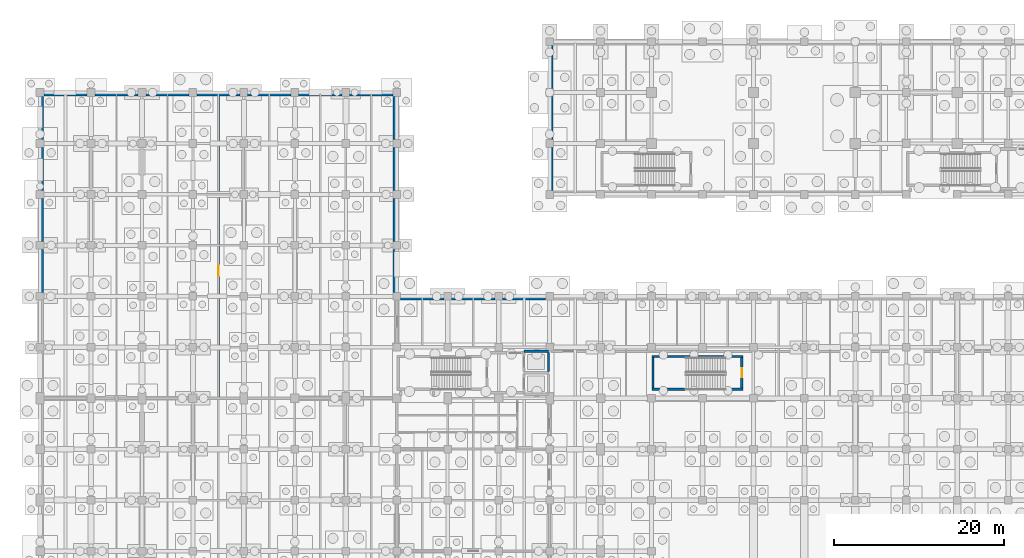
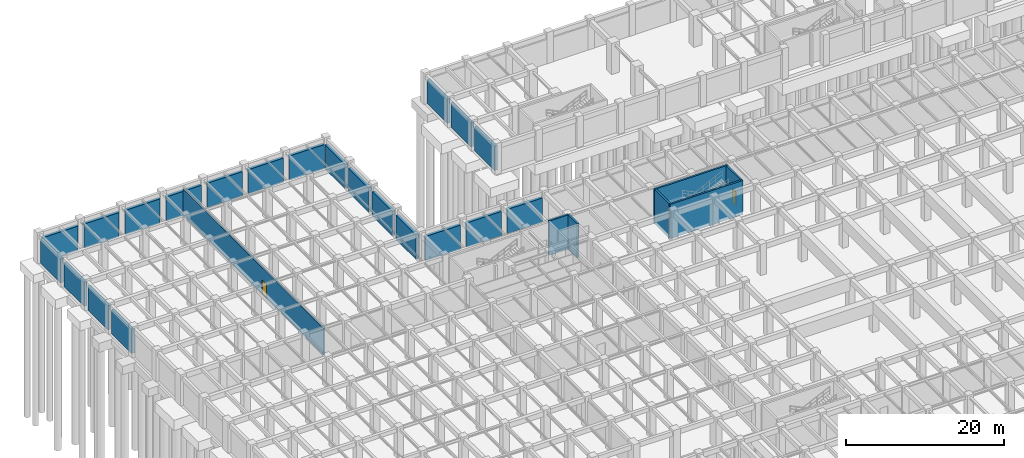
# One storey, part 41 of 54: 28 walls, 2 doors, 2 openings.
"""IFC4 building model written with IfcOpenShell, lengths in metres."""

from ifc_helpers import new_model, si_unit, direction, frame, frame_2d, origin, place, context, subcontext, project, spatial, rectangle, extrude, material, layer, layer_set, type_object, element, fill, save


model = new_model("IFC4")

# Units and contexts
model_context = context("Model", 3, precision=1e-05, world=origin(), true_north=direction((0.0, 1.0)))
body_context = subcontext(model_context, "Body", "Model", "MODEL_VIEW")
ifc_project = project(units=[si_unit("LENGTHUNIT", "METRE"), si_unit("AREAUNIT", "SQUARE_METRE"), si_unit("VOLUMEUNIT", "CUBIC_METRE"), si_unit("PLANEANGLEUNIT", "RADIAN"), si_unit("MASSUNIT", "GRAM", prefix="KILO"), si_unit("THERMODYNAMICTEMPERATUREUNIT", "KELVIN"), si_unit("POWERUNIT", "WATT")], contexts=[model_context])

# Site, building, storey
site_placement = place(None, origin())
site = spatial("IfcSite", under=ifc_project, at=site_placement, CompositionType="ELEMENT")
building_placement = place(site_placement, origin())
building = spatial("IfcBuilding", under=site, at=building_placement, Name="Phaisarnlok Congress Hotel", CompositionType="ELEMENT")
storey_placement = place(building_placement, frame((0.0, 0.0, -4.800048828125)))
storey = spatial("IfcBuildingStorey", under=building, at=storey_placement, Name="B01", CompositionType="ELEMENT", Elevation=-4.800048828125)

# Walls
ifc_material_1 = material(Name="Concrete C40/50", Category="concrete")
ifc_layer_1 = layer(ifc_material_1, 0.419921875, Name="Concrete C40/50")
ifc_layer_set_1 = layer_set([ifc_layer_1], Name="Concrete C40/50")
wall_type_1 = type_object("IfcWallType", Name="WL-EXT-420", PredefinedType="SOLIDWALL", material=ifc_layer_set_1)
for number, where, z_axis, x_axis, name in (
    (1, (60.2099609375, 125.544921875, 0.0), (0.0, 0.0, 1.0), (0.0, -1.0, 0.0), "Exterior wall EW-08 (B01)"),
    (2, (60.2099609375, 119.544921875, 0.0), (0.0, 0.0, 1.0), (0.0, -1.0, 0.0), "Exterior wall EW-08 (B01)"),
    (3, (60.2099609375, 113.544921875, 0.0), (0.0, 0.0, 1.0), (0.0, -1.0, 0.0), "Exterior wall EW-08 (B01)"),
    (4, (59.544921875, 95.7900390625, 0.0), (0.0, 0.0, 1.0), (-1.0, 0.0, 0.0), "Exterior wall EW-08 (B01)"),
    (5, (53.544921875, 95.7900390625, 0.0), (0.0, 0.0, 1.0), (-1.0, 0.0, 0.0), "Exterior wall EW-08 (B01)"),
    (6, (47.544921875, 95.7900390625, 0.0), (0.0, 0.0, 1.0), (-1.0, 0.0, 0.0), "Exterior wall EW-08 (B01)"),
    (7, (41.7900390625, 96.455078125, 0.0), (0.0, 0.0, 1.0), (0.0, 1.0, 0.0), "Exterior wall EW-08 (B01)"),
    (8, (41.7900390625, 102.455078125, 0.0), (0.0, 0.0, 1.0), (0.0, 1.0, 0.0), "Exterior wall EW-08 (B01)"),
    (9, (41.7900390625, 108.455078125, 0.0), (0.0, 0.0, 1.0), (0.0, 1.0, 0.0), "Exterior wall EW-08 (B01)"),
    (10, (41.7900390625, 114.455078125, 0.0), (0.0, 0.0, 1.0), (0.0, 1.0, 0.0), "Exterior wall EW-08 (B01)"),
    (11, (41.544921875, 119.7900390625, 0.0), (0.0, 0.0, 1.0), (-1.0, 0.0, 0.0), "Exterior wall EW-08 (B01)"),
    (12, (35.544921875, 119.7900390625, 0.0), (0.0, 0.0, 1.0), (-1.0, 0.0, 0.0), "Exterior wall EW-08 (B01)"),
    (13, (29.544921875, 119.7900390625, 0.0), (0.0, 0.0, 1.0), (-1.0, 0.0, 0.0), "Exterior wall EW-08 (B01)"),
    (14, (23.544921875, 119.7900390625, 0.0), (0.0, 0.0, 1.0), (-1.0, 0.0, 0.0), "Exterior wall EW-08 (B01)"),
    (15, (17.544921875, 119.7900390625, 0.0), (0.0, 0.0, 1.0), (-1.0, 0.0, 0.0), "Exterior wall EW-08 (B01)"),
    (16, (11.544921875, 119.7900390625, 0.0), (0.0, 0.0, 1.0), (-1.0, 0.0, 0.0), "Exterior wall EW-08 (B01)"),
    (17, (5.544921875, 119.7900390625, 0.0), (0.0, 0.0, 1.0), (-1.0, 0.0, 0.0), "Exterior wall EW-08 (B01)"),
    (18, (0.2099609375, 119.544921875, 0.0), (0.0, 0.0, 1.0), (0.0, -1.0, 0.0), "Exterior wall EW-08 (B01)"),
    (19, (0.2099609375, 113.544921875, 0.0), (0.0, 0.0, 1.0), (0.0, -1.0, 0.0), "Exterior wall EW-08 (B01)"),
    (20, (0.2099609375, 107.544921875, 0.0), (0.0, 0.0, 1.0), (0.0, -1.0, 0.0), "Exterior wall EW-08 (B01)"),
    (21, (0.2099609375, 101.544921875, 0.0), (0.0, 0.0, 1.0), (0.0, -1.0, 0.0), "Exterior wall EW-08 (B01)"),
):
    element("IfcWall", number, at=place(storey_placement, frame(where, z_axis=z_axis, x_axis=x_axis)), inside=storey, type_object=wall_type_1, Name=name, PredefinedType="SOLIDWALL", context=body_context, shape_type="SweptSolid", body=[
        extrude(rectangle(XDim=5.08984375, YDim=0.419921875, at=frame_2d((2.544921875, 0.0))), origin(), (0.0, 0.0, 1.0), 3.75),
    ])

# Wall, opening, door
ifc_layer_2 = layer(ifc_material_1, 0.239990234375, Name="Concrete C40/50")
ifc_layer_set_2 = layer_set([ifc_layer_2], Name="Concrete C40/50")
wall_type_2 = type_object("IfcWallType", Name="WL-INT-240", PredefinedType="PARTITIONING", material=ifc_layer_set_2)
wall_1_placement = place(storey_placement, frame((21.0, 84.0, 0.0), z_axis=(0.0, 0.0, 1.0), x_axis=(0.0, 1.0, 0.0)))
wall_1 = element("IfcWall", 22, at=wall_1_placement, inside=storey, type_object=wall_type_2, Name="Interior partition wall IW-01 (B01)", PredefinedType="PARTITIONING", context=body_context, shape_type="SweptSolid", body=[
    extrude(rectangle(XDim=35.574951171875, YDim=0.239990234375, at=frame_2d((17.78759765625, 0.0))), origin(), (0.0, 0.0, 1.0), 4.10009765625),
])
opening_1_placement = place(wall_1_placement, frame((14.39990234375, 0.0, 0.0)))
opening_1 = element("IfcOpeningElement", 23, at=opening_1_placement, cuts=wall_1, Name="Opening D-0012", PredefinedType="OPENING", context=body_context, shape_type="SweptSolid", body=[
    extrude(rectangle(XDim=1.199951171875, YDim=2.199951171875, at=frame_2d((0.60009765625, 1.10009765625))), frame((0.0, 0.1298828125, 0.0), z_axis=(0.0, -1.0, 0.0), x_axis=(1.0, 0.0, 0.0)), (0.0, 0.0, 1.0), 0.260009765625),
])
ifc_material_2 = material(Name="Fire-Rated Steel Frame & Timber Leaf", Category="steel")
door_type_1 = type_object("IfcDoorType", Name="DR-FD60-1200", OperationType="NOTDEFINED", PredefinedType="DOOR", material=ifc_material_2)
door_1_placement = place(opening_1_placement, origin())
door_1 = element("IfcDoor", 24, at=door_1_placement, inside=storey, type_object=door_type_1, Name="Interior door D-0012 (B01)", OperationType="SINGLE_SWING_LEFT", OverallHeight=2.199951171875, OverallWidth=1.199951171875, PredefinedType="DOOR", context=body_context, shape_type="SweptSolid", body=[
    extrude(rectangle(XDim=1.199951171875, YDim=2.199951171875, at=frame_2d((0.60009765625, 1.10009765625))), frame((0.0, 0.02490234375, 0.0), z_axis=(0.0, -1.0, 0.0), x_axis=(1.0, 0.0, 0.0)), (0.0, 0.0, 1.0), 0.050048828125),
])
fill(opening_1, door_1)

# Walls
ifc_material_3 = material(Name="Concrete C50/60", Category="concrete")
ifc_layer_3 = layer(ifc_material_3, 0.260009765625, Name="Concrete C50/60")
ifc_layer_set_3 = layer_set([ifc_layer_3], Name="Concrete C50/60")
wall_type_3 = type_object("IfcWallType", Name="WL-SHR-260", PredefinedType="SHEAR", material=ifc_layer_set_3)
wall_2_placement = place(storey_placement, frame((56.969970703125, 89.530029296875, -0.5), z_axis=(0.0, 0.0, 1.0), x_axis=(1.0, 0.0, 0.0)))
element("IfcWall", 25, at=wall_2_placement, inside=storey, type_object=wall_type_3, Name="Lift shaft shear wall SW-04 (LF-SP1 B01)", PredefinedType="SHEAR", context=body_context, shape_type="SweptSolid", body=[
    extrude(rectangle(XDim=2.909912109375, YDim=0.260009765625, at=frame_2d((1.455078125, 0.0))), origin(), (0.0, 0.0, 1.0), 5.300048828125),
])
wall_3_placement = place(storey_placement, frame((59.8798828125, 87.14990234375, -0.5), z_axis=(0.0, 0.0, 1.0), x_axis=(0.0, 1.0, 0.0)))
element("IfcWall", 26, at=wall_3_placement, inside=storey, type_object=wall_type_3, Name="Lift shaft shear wall SW-04 (LF-SP1 B01)", PredefinedType="SHEAR", context=body_context, shape_type="SweptSolid", body=[
    extrude(rectangle(XDim=2.25, YDim=0.260009765625, at=frame_2d((1.125, 0.0))), origin(), (0.0, 0.0, 1.0), 5.300048828125),
])
for number, where, z_axis, x_axis, name in (
    (27, (72.0400390625, 85.070068359375, -0.5), (0.0, 0.0, 1.0), (1.0, 0.0, 0.0), "Stair shaft shear wall SW-04 (STAIR-POD-C B01)"),
    (28, (72.0400390625, 88.929931640625, -0.5), (0.0, 0.0, 1.0), (1.0, 0.0, 0.0), "Stair shaft shear wall SW-04 (STAIR-POD-C B01)"),
):
    element("IfcWall", number, at=place(storey_placement, frame(where, z_axis=z_axis, x_axis=x_axis)), inside=storey, type_object=wall_type_3, Name=name, PredefinedType="SHEAR", context=body_context, shape_type="SweptSolid", body=[
        extrude(rectangle(XDim=10.719970703125, YDim=0.260009765625, at=frame_2d((5.35986328125, 0.0))), origin(), (0.0, 0.0, 1.0), 5.300048828125),
    ])
wall_4_placement = place(storey_placement, frame((72.169921875, 85.199951171875, -0.5), z_axis=(0.0, 0.0, 1.0), x_axis=(0.0, 1.0, 0.0)))
element("IfcWall", 29, at=wall_4_placement, inside=storey, type_object=wall_type_3, Name="Stair shaft shear wall SW-04 (STAIR-POD-C B01)", PredefinedType="SHEAR", context=body_context, shape_type="SweptSolid", body=[
    extrude(rectangle(XDim=3.60009765625, YDim=0.260009765625, at=frame_2d((1.800048828125, 0.0))), origin(), (0.0, 0.0, 1.0), 5.300048828125),
])

# Wall, opening, door
wall_5_placement = place(storey_placement, frame((82.6298828125, 85.199951171875, -0.5), z_axis=(0.0, 0.0, 1.0), x_axis=(0.0, 1.0, 0.0)))
wall_5 = element("IfcWall", 30, at=wall_5_placement, inside=storey, type_object=wall_type_3, Name="Stair shaft shear wall SW-04 (STAIR-POD-C B01)", PredefinedType="SHEAR", context=body_context, shape_type="SweptSolid", body=[
    extrude(rectangle(XDim=3.60009765625, YDim=0.260009765625, at=frame_2d((1.800048828125, 0.0))), origin(), (0.0, 0.0, 1.0), 5.300048828125),
])
opening_2_placement = place(wall_5_placement, frame((1.25, 0.0, 0.5)))
opening_2 = element("IfcOpeningElement", 31, at=opening_2_placement, cuts=wall_5, Name="Opening FD-159", PredefinedType="OPENING", context=body_context, shape_type="SweptSolid", body=[
    extrude(rectangle(XDim=1.10009765625, YDim=2.14990234375, at=frame_2d((0.550048828125, 1.074951171875))), frame((0.0, 0.14013671875, 0.0), z_axis=(0.0, -1.0, 0.0), x_axis=(1.0, 0.0, 0.0)), (0.0, 0.0, 1.0), 0.280029296875),
])
door_type_2 = type_object("IfcDoorType", Name="DR-FD60-1100", OperationType="NOTDEFINED", PredefinedType="DOOR", material=ifc_material_2)
door_2_placement = place(opening_2_placement, origin())
door_2 = element("IfcDoor", 32, at=door_2_placement, inside=storey, type_object=door_type_2, Name="Stair enclosure fire door FD-159 (B01)", OperationType="SINGLE_SWING_RIGHT", OverallHeight=2.14990234375, OverallWidth=1.10009765625, PredefinedType="DOOR", context=body_context, shape_type="SweptSolid", body=[
    extrude(rectangle(XDim=1.10009765625, YDim=2.14990234375, at=frame_2d((0.550048828125, 1.074951171875))), frame((0.0, 0.02490234375, 0.0), z_axis=(0.0, -1.0, 0.0), x_axis=(1.0, 0.0, 0.0)), (0.0, 0.0, 1.0), 0.050048828125),
])
fill(opening_2, door_2)

save(model, "model.ifc")
